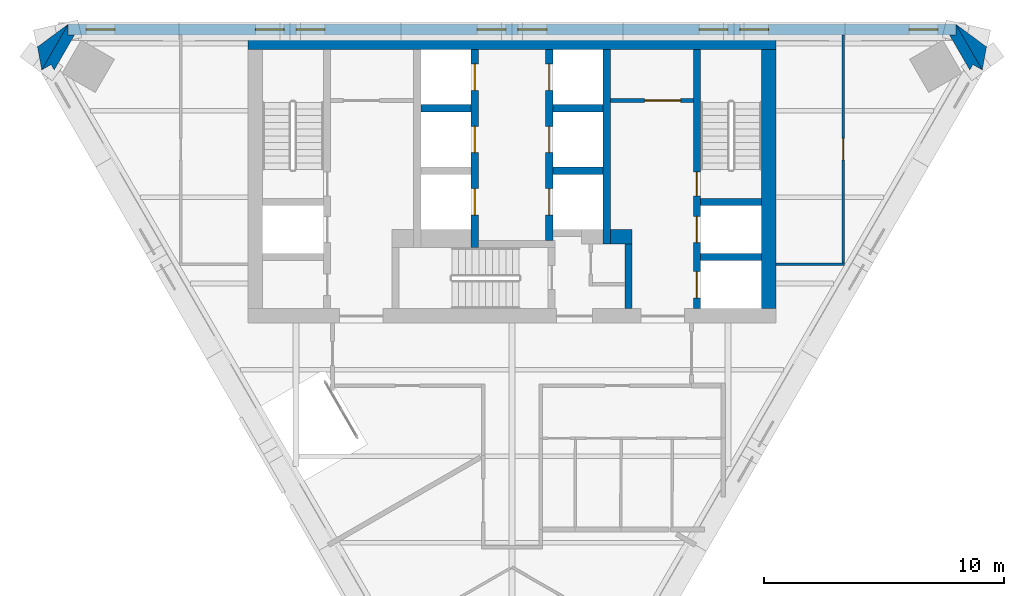
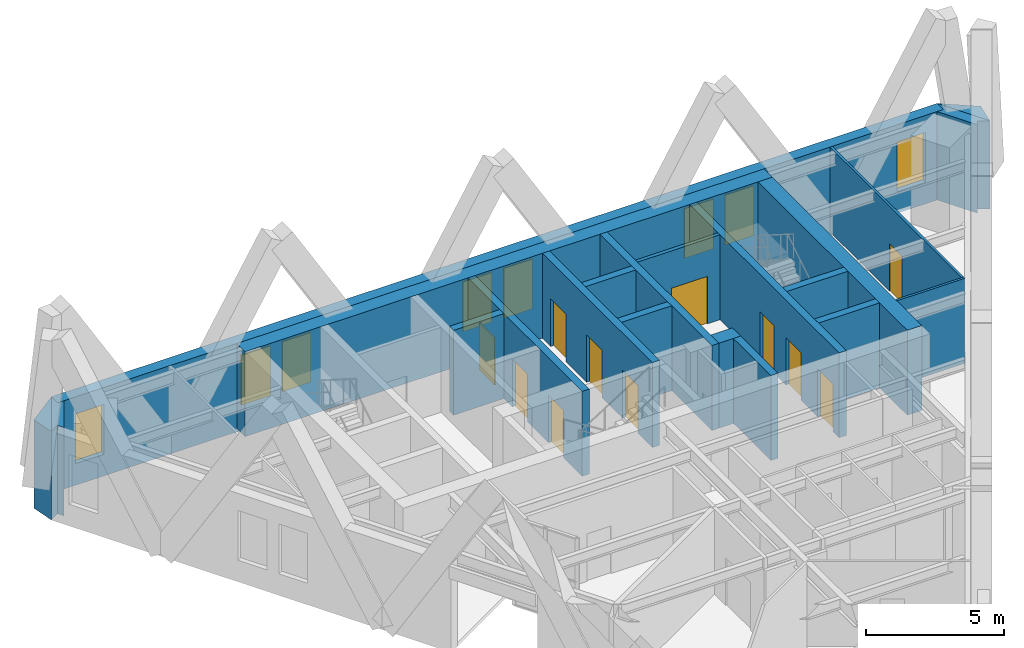
# One storey, part 6 of 8: 21 walls, 11 doors, 8 windows, 19 openings.
"""IFC4 building model written with IfcOpenShell, lengths in metres."""

import ifcopenshell
import ifcopenshell.guid

model = None  # the IFC model being written
_history = None  # IfcOwnerHistory: only IFC2X3 demands one
_inside = {}  # id of a spatial element -> (the spatial element, [elements in it])
_under = {}  # id of a project, library or spatial element -> (it, [spatial elements below it])
_declared = {}  # id of a project -> (the project, [libraries it declares])
_typed = {}  # id of a type object -> (the type object, [elements of that type])
_made_of = {}  # id of a material, layer set ... -> (it, [elements and type objects made of it])


def new_model(schema):
    """Start an empty IFC model of exactly this schema.

    Asked for "IFC4X3", IfcOpenShell would pick the latest addendum, in which some entities
    have other attributes; the version numbers below select the first issue.
    IFC2X3 requires an IfcOwnerHistory on every rooted entity: one is made here for all.
    """
    global model, _history
    if schema == "IFC4X3":
        model = ifcopenshell.file(schema_version=(4, 3, 0, 0))
    else:
        model = ifcopenshell.file(schema=schema)
    _inside.clear()
    _under.clear()
    _declared.clear()
    _typed.clear()
    _made_of.clear()
    _history = None
    if model.schema == "IFC2X3":
        org = make("IfcOrganization", Name="unknown")
        user = make(
            "IfcPersonAndOrganization",
            ThePerson=make("IfcPerson", FamilyName="unknown"),
            TheOrganization=org,
        )
        app = make(
            "IfcApplication",
            ApplicationDeveloper=org,
            Version="unknown",
            ApplicationFullName="unknown",
            ApplicationIdentifier="unknown",
        )
        _history = make(
            "IfcOwnerHistory",
            OwningUser=user,
            OwningApplication=app,
            ChangeAction="ADDED",
            CreationDate=0,
        )
    return model


def make(cls, **values):
    """One entity of the class cls with the attributes given. An attribute that is None is left unset."""
    return model.create_entity(
        cls, **{name: value for name, value in values.items() if value is not None}
    )


def rooted(cls, **values):
    """An entity with a GlobalId (a new one), such as an element, a storey or a relation."""
    return make(cls, GlobalId=ifcopenshell.guid.new(), OwnerHistory=_history, **values)


def si_unit(unit_type, name, prefix=None):
    """IfcSIUnit, for example si_unit("LENGTHUNIT", "METRE", prefix="MILLI")."""
    return make("IfcSIUnit", UnitType=unit_type, Prefix=prefix, Name=name)


def assignment(units):
    """IfcUnitAssignment: the units of a project."""
    return None if units is None else make("IfcUnitAssignment", Units=units)


def point(xyz):
    """IfcCartesianPoint."""
    return None if xyz is None else make("IfcCartesianPoint", Coordinates=xyz)


def direction(xyz):
    """IfcDirection."""
    return None if xyz is None else make("IfcDirection", DirectionRatios=xyz)


def frame(location, z_axis=None, x_axis=None):
    """IfcAxis2Placement3D, a coordinate frame: its origin and axes. An axis left out is left unset."""
    return make(
        "IfcAxis2Placement3D",
        Location=point(location),
        Axis=direction(z_axis),
        RefDirection=direction(x_axis),
    )


def frame_2d(location, x_axis=None):
    """IfcAxis2Placement2D, a coordinate frame in the plane: its origin and x axis."""
    return make(
        "IfcAxis2Placement2D", Location=point(location), RefDirection=direction(x_axis)
    )


def origin():
    """The frame at (0, 0, 0) with its axes left unset."""
    return frame((0.0, 0.0, 0.0))


def place(relative_to, where):
    """IfcLocalPlacement: puts the frame where relative to a parent placement (None: the world)."""
    return make(
        "IfcLocalPlacement", PlacementRelTo=relative_to, RelativePlacement=where
    )


def context(
    kind, dimensions, precision=None, world=None, true_north=None, identifier=None
):
    """IfcGeometricRepresentationContext, for example the 3D "Model" context."""
    return make(
        "IfcGeometricRepresentationContext",
        ContextIdentifier=identifier,
        ContextType=kind,
        CoordinateSpaceDimension=dimensions,
        Precision=precision,
        WorldCoordinateSystem=world,
        TrueNorth=true_north,
    )


def subcontext(parent, identifier, kind, view, scale=None):
    """IfcGeometricRepresentationSubContext, for example "Body" below "Model"."""
    return make(
        "IfcGeometricRepresentationSubContext",
        ContextIdentifier=identifier,
        ContextType=kind,
        ParentContext=parent,
        TargetScale=scale,
        TargetView=view,
    )


def project(units=None, contexts=None):
    """IfcProject with its units and contexts."""
    return rooted(
        "IfcProject",
        Name="project",
        RepresentationContexts=contexts,
        UnitsInContext=assignment(units),
    )


def spatial(cls, under=None, at=None, **own):
    """A site, building, storey or space (cls), placed at a placement, below another one or the project."""
    s = rooted(cls, ObjectPlacement=at, **own)
    if under is not None:
        _under.setdefault(under.id(), (under, []))[1].append(s)
    return s


def polyline(points):
    """IfcPolyline through the points."""
    return make("IfcPolyline", Points=[point(p) for p in points])


def profile(cls, at=None, kind="AREA", **sizes):
    """A parametric profile (cls). Its sizes go by their IFC names, for example OverallWidth=200.0."""
    return make(cls, ProfileType=kind, Position=at, **sizes)


def rectangle(**sizes):
    """IfcRectangleProfileDef."""
    return profile("IfcRectangleProfileDef", **sizes)


def outline(outer, holes=None, kind="AREA"):
    """IfcArbitraryClosedProfileDef: a profile drawn as a closed curve; with holes, ...WithVoids."""
    if holes is None:
        return make("IfcArbitraryClosedProfileDef", ProfileType=kind, OuterCurve=outer)
    return make(
        "IfcArbitraryProfileDefWithVoids",
        ProfileType=kind,
        OuterCurve=outer,
        InnerCurves=holes,
    )


def extrude(swept, where, along, depth):
    """IfcExtrudedAreaSolid: the profile swept, set in the frame where, extruded along a direction by depth."""
    return make(
        "IfcExtrudedAreaSolid",
        SweptArea=swept,
        Position=where,
        ExtrudedDirection=direction(along),
        Depth=depth,
    )


def shape(context_of_items, identifier, shape_type, items):
    """IfcShapeRepresentation: the items that make up one representation, for example the "Body"."""
    return make(
        "IfcShapeRepresentation",
        ContextOfItems=context_of_items,
        RepresentationIdentifier=identifier,
        RepresentationType=shape_type,
        Items=items,
    )


def material(Name=None, Category=None):
    """IfcMaterial."""
    return make("IfcMaterial", Name=Name, Category=Category)


def layer(
    of_material, thickness, ventilated=None, Name=None, Category=None, Priority=None
):
    """IfcMaterialLayer: one layer of a wall or slab, of a material (None: an air gap)."""
    return make(
        "IfcMaterialLayer",
        Material=of_material,
        LayerThickness=thickness,
        IsVentilated=ventilated,
        Name=Name,
        Category=Category,
        Priority=Priority,
    )


def layer_set(layers, Name=None):
    """IfcMaterialLayerSet."""
    return make("IfcMaterialLayerSet", MaterialLayers=layers, LayerSetName=Name)


def made_of(thing, what):
    """Note that an element or type object is made of a material, layer set ...; save() writes the relation."""
    if what is not None:
        _made_of.setdefault(what.id(), (what, []))[1].append(thing)
    return thing


def type_object(cls, material=None, **own):
    """A type object (cls), such as IfcWallType, which elements share."""
    return made_of(rooted(cls, **own), material)


def element(
    cls,
    number,
    at=None,
    inside=None,
    cuts=None,
    type_object=None,
    material=None,
    context=None,
    identifier="Body",
    shape_type=None,
    held_by="IfcProductDefinitionShape",
    body=None,
    shapes=None,
    **own,
):
    """One element of the class cls, such as IfcWall. Its Tag is "e" and its number.

    at: its placement. inside: the storey or other place that contains it. cuts: it is an
    opening in that element (IfcRelVoidsElement). A single representation is given by context,
    identifier, shape_type and body (its items); several are given by shapes. held_by: the class
    of the entity that holds the representations. save() writes the other relations.
    """
    e = rooted(cls, Tag="e%d" % number, ObjectPlacement=at, **own)
    if body is not None:
        shapes = [shape(context, identifier, shape_type, body)]
    if shapes is not None:
        e.Representation = make(held_by, Representations=shapes)
    if inside is not None:
        _inside.setdefault(inside.id(), (inside, []))[1].append(e)
    if cuts is not None:
        rooted(
            "IfcRelVoidsElement", RelatingBuildingElement=cuts, RelatedOpeningElement=e
        )
    if type_object is not None:
        _typed.setdefault(type_object.id(), (type_object, []))[1].append(e)
    return made_of(e, material)


def fill(opening, filler):
    """IfcRelFillsElement: the door or window that sits in an opening."""
    return rooted(
        "IfcRelFillsElement",
        RelatingOpeningElement=opening,
        RelatedBuildingElement=filler,
    )


def aggregate(whole, parts):
    """IfcRelAggregates: a whole, such as a stair, and the parts it consists of."""
    return rooted("IfcRelAggregates", RelatingObject=whole, RelatedObjects=parts)


def save(model, path):
    """Write the relations noted so far, then the file.

    IfcRelAggregates (storeys below a building ...), IfcRelContainedInSpatialStructure (elements
    in a storey), IfcRelDefinesByType, IfcRelAssociatesMaterial and IfcRelDeclares: one each for
    every whole, place, type object, material and project.
    """
    for whole, parts in _under.values():
        aggregate(whole, parts)
    for where, things in _inside.values():
        rooted(
            "IfcRelContainedInSpatialStructure",
            RelatedElements=things,
            RelatingStructure=where,
        )
    for kind, things in _typed.values():
        rooted("IfcRelDefinesByType", RelatedObjects=things, RelatingType=kind)
    for what, things in _made_of.values():
        rooted("IfcRelAssociatesMaterial", RelatedObjects=things, RelatingMaterial=what)
    for by, libraries in _declared.values():
        rooted("IfcRelDeclares", RelatingContext=by, RelatedDefinitions=libraries)
    model.write(path)


model = new_model("IFC4")

# Units and contexts
model_context = context("Model", 3, precision=1e-05, world=origin(), true_north=direction((0.0, 1.0)))
body_context = subcontext(model_context, "Body", "Model", "MODEL_VIEW")
ifc_project = project(units=[si_unit("LENGTHUNIT", "METRE"), si_unit("AREAUNIT", "SQUARE_METRE"), si_unit("VOLUMEUNIT", "CUBIC_METRE"), si_unit("PLANEANGLEUNIT", "RADIAN"), si_unit("MASSUNIT", "GRAM", prefix="KILO")], contexts=[model_context])

# Site, building, storey
site_placement = place(None, origin())
site = spatial("IfcSite", under=ifc_project, at=site_placement, CompositionType="ELEMENT")
building_placement = place(site_placement, origin())
building = spatial("IfcBuilding", under=site, at=building_placement, Name="Aloe Facet Convention Tower", CompositionType="ELEMENT")
storey_placement = place(building_placement, frame((0.0, 0.0, 262.10009765625)))
storey = spatial("IfcBuildingStorey", under=building, at=storey_placement, Name="L64", CompositionType="ELEMENT", Elevation=262.10009765625)

# Wall, opening, door
ifc_material_1 = material(Name="Concrete blockwork partition", Category="masonry")
ifc_layer_1 = layer(ifc_material_1, 0.14990234375)
ifc_layer_set_1 = layer_set([ifc_layer_1], Name="CR-W-PART150")
wall_type_1 = type_object("IfcWallType", Name="CR-W-PART150", PredefinedType="PARTITIONING", material=ifc_layer_set_1)
wall_1_placement = place(storey_placement, frame((84.10009765625, 131.824951171875, 0.0), z_axis=(0.0, 0.0, 1.0), x_axis=(1.0, 0.0, 0.0)))
wall_1 = element("IfcWall", 1, at=wall_1_placement, inside=storey, type_object=wall_type_1, Name="Core partition L64-025", PredefinedType="PARTITIONING", context=body_context, shape_type="SweptSolid", body=[
    extrude(rectangle(XDim=3.449951171875, YDim=0.14990234375, at=frame_2d((1.72509765625, 0.0))), origin(), (0.0, 0.0, 1.0), 3.75),
])
opening_1_placement = place(wall_1_placement, frame((1.425048828125, 0.0, 0.0)))
opening_1 = element("IfcOpeningElement", 2, at=opening_1_placement, cuts=wall_1, Name="Opening L64-CD13", PredefinedType="OPENING", context=body_context, shape_type="SweptSolid", body=[
    extrude(rectangle(XDim=1.5, YDim=2.10009765625, at=frame_2d((0.75, 1.050048828125))), frame((0.0, 0.0849609375, 0.0), z_axis=(0.0, -1.0, 0.0), x_axis=(1.0, 0.0, 0.0)), (0.0, 0.0, 1.0), 0.169921875),
])
ifc_material_2 = material(Name="Steel fire-resisting door set FD60", Category="steel")
door_type_1 = type_object("IfcDoorType", Name="CR-D-REFUGE-1500-FD60-DD", OperationType="DOUBLE_DOOR_DOUBLE_SWING", PredefinedType="DOOR", material=ifc_material_2)
door_1_placement = place(opening_1_placement, origin())
door_1 = element("IfcDoor", 3, at=door_1_placement, inside=storey, type_object=door_type_1, Name="Core door L64-CD13", OperationType="DOUBLE_DOOR_DOUBLE_SWING", OverallHeight=2.10009765625, OverallWidth=1.5, PredefinedType="DOOR", context=body_context, shape_type="SweptSolid", body=[
    extrude(rectangle(XDim=1.5, YDim=2.10009765625, at=frame_2d((0.75, 1.050048828125))), frame((0.0, 0.02490234375, 0.0), z_axis=(0.0, -1.0, 0.0), x_axis=(1.0, 0.0, 0.0)), (0.0, 0.0, 1.0), 0.050048828125),
])
fill(opening_1, door_1)

# Wall
ifc_material_3 = material(Name="Concrete C50/60", Category="concrete")
ifc_layer_2 = layer(ifc_material_3, 0.300048828125)
ifc_layer_set_2 = layer_set([ifc_layer_2], Name="CR-W-RC300-C5060")
wall_type_2 = type_object("IfcWallType", Name="CR-W-RC300-C5060", PredefinedType="SOLIDWALL", material=ifc_layer_set_2)
wall_2_placement = place(storey_placement, frame((76.199951171875, 131.5, 0.0), z_axis=(0.0, 0.0, 1.0), x_axis=(1.0, 0.0, 0.0)))
element("IfcWall", 4, at=wall_2_placement, inside=storey, type_object=wall_type_2, Name="Core wall L64-011", PredefinedType="SOLIDWALL", context=body_context, shape_type="SweptSolid", body=[
    extrude(rectangle(XDim=2.10009765625, YDim=0.300048828125, at=frame_2d((1.050048828125, 0.0))), origin(), (0.0, 0.0, 1.0), 3.75),
])

# Wall, openings, doors
wall_3_placement = place(storey_placement, frame((78.449951171875, 133.949951171875, 0.0), z_axis=(0.0, 0.0, 1.0), x_axis=(0.0, -1.0, 0.0)))
wall_3 = element("IfcWall", 5, at=wall_3_placement, inside=storey, type_object=wall_type_2, Name="Core wall L64-014", PredefinedType="SOLIDWALL", context=body_context, shape_type="SweptSolid", body=[
    extrude(rectangle(XDim=8.25, YDim=0.300048828125, at=frame_2d((4.125, 0.0))), origin(), (0.0, 0.0, 1.0), 3.75),
])
opening_2_placement = place(wall_3_placement, frame((0.60009765625, 0.0, 0.0)))
opening_2 = element("IfcOpeningElement", 6, at=opening_2_placement, cuts=wall_3, Name="Opening LD-B1-L64", PredefinedType="OPENING", context=body_context, shape_type="SweptSolid", body=[
    extrude(rectangle(XDim=1.10009765625, YDim=2.10009765625, at=frame_2d((0.550048828125, 1.050048828125))), frame((0.0, 0.16015625, 0.0), z_axis=(0.0, -1.0, 0.0), x_axis=(1.0, 0.0, 0.0)), (0.0, 0.0, 1.0), 0.320068359375),
])
opening_3_placement = place(wall_3_placement, frame((3.199951171875, 0.0, 0.0)))
opening_3 = element("IfcOpeningElement", 7, at=opening_3_placement, cuts=wall_3, Name="Opening LD-B2-L64", PredefinedType="OPENING", context=body_context, shape_type="SweptSolid", body=[
    extrude(rectangle(XDim=1.10009765625, YDim=2.10009765625, at=frame_2d((0.550048828125, 1.050048828125))), frame((0.0, 0.16015625, 0.0), z_axis=(0.0, -1.0, 0.0), x_axis=(1.0, 0.0, 0.0)), (0.0, 0.0, 1.0), 0.320068359375),
])
opening_4_placement = place(wall_3_placement, frame((5.800048828125, 0.0, 0.0)))
opening_4 = element("IfcOpeningElement", 8, at=opening_4_placement, cuts=wall_3, Name="Opening LD-B3-L64", PredefinedType="OPENING", context=body_context, shape_type="SweptSolid", body=[
    extrude(rectangle(XDim=1.10009765625, YDim=2.10009765625, at=frame_2d((0.550048828125, 1.050048828125))), frame((0.0, 0.16015625, 0.0), z_axis=(0.0, -1.0, 0.0), x_axis=(1.0, 0.0, 0.0)), (0.0, 0.0, 1.0), 0.320068359375),
])
ifc_material_4 = material(Name="Stainless steel sliding landing door", Category="steel")
door_type_2 = type_object("IfcDoorType", Name="CR-LD-1100-FD60-RIGHT", OperationType="SLIDING_TO_RIGHT", PredefinedType="DOOR", material=ifc_material_4)
door_2_placement = place(opening_2_placement, origin())
door_2 = element("IfcDoor", 9, at=door_2_placement, inside=storey, type_object=door_type_2, Name="Landing door B1 L64", OperationType="SLIDING_TO_RIGHT", OverallHeight=2.10009765625, OverallWidth=1.10009765625, PredefinedType="DOOR", context=body_context, shape_type="SweptSolid", body=[
    extrude(rectangle(XDim=1.10009765625, YDim=2.10009765625, at=frame_2d((0.550048828125, 1.050048828125))), frame((0.0, 0.02490234375, 0.0), z_axis=(0.0, -1.0, 0.0), x_axis=(1.0, 0.0, 0.0)), (0.0, 0.0, 1.0), 0.050048828125),
])
fill(opening_2, door_2)
door_3_placement = place(opening_3_placement, origin())
door_3 = element("IfcDoor", 10, at=door_3_placement, inside=storey, type_object=door_type_2, Name="Landing door B2 L64", OperationType="SLIDING_TO_RIGHT", OverallHeight=2.10009765625, OverallWidth=1.10009765625, PredefinedType="DOOR", context=body_context, shape_type="SweptSolid", body=[
    extrude(rectangle(XDim=1.10009765625, YDim=2.10009765625, at=frame_2d((0.550048828125, 1.050048828125))), frame((0.0, 0.02490234375, 0.0), z_axis=(0.0, -1.0, 0.0), x_axis=(1.0, 0.0, 0.0)), (0.0, 0.0, 1.0), 0.050048828125),
])
fill(opening_3, door_3)
door_4_placement = place(opening_4_placement, origin())
door_4 = element("IfcDoor", 11, at=door_4_placement, inside=storey, type_object=door_type_2, Name="Landing door B3 L64", OperationType="SLIDING_TO_RIGHT", OverallHeight=2.10009765625, OverallWidth=1.10009765625, PredefinedType="DOOR", context=body_context, shape_type="SweptSolid", body=[
    extrude(rectangle(XDim=1.10009765625, YDim=2.10009765625, at=frame_2d((0.550048828125, 1.050048828125))), frame((0.0, 0.02490234375, 0.0), z_axis=(0.0, -1.0, 0.0), x_axis=(1.0, 0.0, 0.0)), (0.0, 0.0, 1.0), 0.050048828125),
])
fill(opening_4, door_4)

wall_4_placement = place(storey_placement, frame((81.550048828125, 133.949951171875, 0.0), z_axis=(0.0, 0.0, 1.0), x_axis=(0.0, -1.0, 0.0)))
wall_4 = element("IfcWall", 12, at=wall_4_placement, inside=storey, type_object=wall_type_2, Name="Core wall L64-016", PredefinedType="SOLIDWALL", context=body_context, shape_type="SweptSolid", body=[
    extrude(rectangle(XDim=7.949951171875, YDim=0.300048828125, at=frame_2d((3.97509765625, 0.0))), origin(), (0.0, 0.0, 1.0), 3.75),
])
opening_5_placement = place(wall_4_placement, frame((0.60009765625, 0.0, 0.0)))
opening_5 = element("IfcOpeningElement", 13, at=opening_5_placement, cuts=wall_4, Name="Opening LD-B4-L64", PredefinedType="OPENING", context=body_context, shape_type="SweptSolid", body=[
    extrude(rectangle(XDim=1.10009765625, YDim=2.10009765625, at=frame_2d((0.550048828125, 1.050048828125))), frame((0.0, 0.16015625, 0.0), z_axis=(0.0, -1.0, 0.0), x_axis=(1.0, 0.0, 0.0)), (0.0, 0.0, 1.0), 0.320068359375),
])
opening_6_placement = place(wall_4_placement, frame((3.199951171875, 0.0, 0.0)))
opening_6 = element("IfcOpeningElement", 14, at=opening_6_placement, cuts=wall_4, Name="Opening LD-B5-L64", PredefinedType="OPENING", context=body_context, shape_type="SweptSolid", body=[
    extrude(rectangle(XDim=1.10009765625, YDim=2.10009765625, at=frame_2d((0.550048828125, 1.050048828125))), frame((0.0, 0.16015625, 0.0), z_axis=(0.0, -1.0, 0.0), x_axis=(1.0, 0.0, 0.0)), (0.0, 0.0, 1.0), 0.320068359375),
])
opening_7_placement = place(wall_4_placement, frame((5.800048828125, 0.0, 0.0)))
opening_7 = element("IfcOpeningElement", 15, at=opening_7_placement, cuts=wall_4, Name="Opening LD-B6-L64", PredefinedType="OPENING", context=body_context, shape_type="SweptSolid", body=[
    extrude(rectangle(XDim=1.10009765625, YDim=2.10009765625, at=frame_2d((0.550048828125, 1.050048828125))), frame((0.0, 0.16015625, 0.0), z_axis=(0.0, -1.0, 0.0), x_axis=(1.0, 0.0, 0.0)), (0.0, 0.0, 1.0), 0.320068359375),
])
ifc_material_5 = material(Name="Stainless steel sliding landing door", Category="steel")
door_type_3 = type_object("IfcDoorType", Name="CR-LD-1100-FD60-_LEFT", OperationType="SLIDING_TO_LEFT", PredefinedType="DOOR", material=ifc_material_5)
door_5_placement = place(opening_5_placement, origin())
door_5 = element("IfcDoor", 16, at=door_5_placement, inside=storey, type_object=door_type_3, Name="Landing door B4 L64", OperationType="SLIDING_TO_LEFT", OverallHeight=2.10009765625, OverallWidth=1.10009765625, PredefinedType="DOOR", context=body_context, shape_type="SweptSolid", body=[
    extrude(rectangle(XDim=1.10009765625, YDim=2.10009765625, at=frame_2d((0.550048828125, 1.050048828125))), frame((0.0, 0.02490234375, 0.0), z_axis=(0.0, -1.0, 0.0), x_axis=(1.0, 0.0, 0.0)), (0.0, 0.0, 1.0), 0.050048828125),
])
fill(opening_5, door_5)
door_6_placement = place(opening_6_placement, origin())
door_6 = element("IfcDoor", 17, at=door_6_placement, inside=storey, type_object=door_type_3, Name="Landing door B5 L64", OperationType="SLIDING_TO_LEFT", OverallHeight=2.10009765625, OverallWidth=1.10009765625, PredefinedType="DOOR", context=body_context, shape_type="SweptSolid", body=[
    extrude(rectangle(XDim=1.10009765625, YDim=2.10009765625, at=frame_2d((0.550048828125, 1.050048828125))), frame((0.0, 0.02490234375, 0.0), z_axis=(0.0, -1.0, 0.0), x_axis=(1.0, 0.0, 0.0)), (0.0, 0.0, 1.0), 0.050048828125),
])
fill(opening_6, door_6)
door_7_placement = place(opening_7_placement, origin())
door_7 = element("IfcDoor", 18, at=door_7_placement, inside=storey, type_object=door_type_3, Name="Landing door B6 L64", OperationType="SLIDING_TO_LEFT", OverallHeight=2.10009765625, OverallWidth=1.10009765625, PredefinedType="DOOR", context=body_context, shape_type="SweptSolid", body=[
    extrude(rectangle(XDim=1.10009765625, YDim=2.10009765625, at=frame_2d((0.550048828125, 1.050048828125))), frame((0.0, 0.02490234375, 0.0), z_axis=(0.0, -1.0, 0.0), x_axis=(1.0, 0.0, 0.0)), (0.0, 0.0, 1.0), 0.050048828125),
])
fill(opening_7, door_7)

# Walls
for number, where, z_axis, x_axis, name in (
    (19, (81.699951171875, 131.5, 0.0), (0.0, 0.0, 1.0), (1.0, 0.0, 0.0), "Core wall L64-018"),
    (20, (81.699951171875, 128.89990234375, 0.0), (0.0, 0.0, 1.0), (1.0, 0.0, 0.0), "Core wall L64-019"),
):
    element("IfcWall", number, at=place(storey_placement, frame(where, z_axis=z_axis, x_axis=x_axis)), inside=storey, type_object=wall_type_2, Name=name, PredefinedType="SOLIDWALL", context=body_context, shape_type="SweptSolid", body=[
        extrude(rectangle(XDim=2.10009765625, YDim=0.300048828125, at=frame_2d((1.050048828125, 0.0))), origin(), (0.0, 0.0, 1.0), 3.75),
    ])
wall_5_placement = place(storey_placement, frame((83.949951171875, 133.949951171875, 0.0), z_axis=(0.0, 0.0, 1.0), x_axis=(0.0, -1.0, 0.0)))
element("IfcWall", 21, at=wall_5_placement, inside=storey, type_object=wall_type_2, Name="Core wall L64-024", PredefinedType="SOLIDWALL", context=body_context, shape_type="SweptSolid", body=[
    extrude(rectangle(XDim=8.099853515625, YDim=0.300048828125, at=frame_2d((4.0498046875, 0.0))), origin(), (0.0, 0.0, 1.0), 3.75),
])
wall_6_placement = place(storey_placement, frame((84.85009765625, 125.85009765625, 0.0), z_axis=(0.0, 0.0, 1.0), x_axis=(0.0, -1.0, 0.0)))
element("IfcWall", 22, at=wall_6_placement, inside=storey, type_object=wall_type_2, Name="Core wall L64-027", PredefinedType="SOLIDWALL", context=body_context, shape_type="SweptSolid", body=[
    extrude(rectangle(XDim=2.7001953125, YDim=0.300048828125, at=frame_2d((1.35009765625, 0.0))), origin(), (0.0, 0.0, 1.0), 3.75),
])

# Wall, openings, doors
wall_7_placement = place(storey_placement, frame((87.699951171875, 133.949951171875, 0.0), z_axis=(0.0, 0.0, 1.0), x_axis=(0.0, -1.0, 0.0)))
wall_7 = element("IfcWall", 23, at=wall_7_placement, inside=storey, type_object=wall_type_2, Name="Core wall L64-028", PredefinedType="SOLIDWALL", context=body_context, shape_type="SweptSolid", body=[
    extrude(rectangle(XDim=10.800048828125, YDim=0.300048828125, at=frame_2d((5.39990234375, 0.0))), origin(), (0.0, 0.0, 1.0), 3.75),
])
opening_8_placement = place(wall_7_placement, frame((6.949951171875, 0.0, 0.0)))
opening_8 = element("IfcOpeningElement", 24, at=opening_8_placement, cuts=wall_7, Name="Opening LD-FF2-L64", PredefinedType="OPENING", context=body_context, shape_type="SweptSolid", body=[
    extrude(rectangle(XDim=1.10009765625, YDim=2.10009765625, at=frame_2d((0.550048828125, 1.050048828125))), frame((0.0, 0.16015625, 0.0), z_axis=(0.0, -1.0, 0.0), x_axis=(1.0, 0.0, 0.0)), (0.0, 0.0, 1.0), 0.320068359375),
])
opening_9_placement = place(wall_7_placement, frame((5.10009765625, 0.0, 0.0)))
opening_9 = element("IfcOpeningElement", 25, at=opening_9_placement, cuts=wall_7, Name="Opening L64-CD17", PredefinedType="OPENING", context=body_context, shape_type="SweptSolid", body=[
    extrude(rectangle(XDim=1.0, YDim=2.10009765625, at=frame_2d((0.5, 1.050048828125))), frame((0.0, 0.16015625, 0.0), z_axis=(0.0, -1.0, 0.0), x_axis=(1.0, 0.0, 0.0)), (0.0, 0.0, 1.0), 0.320068359375),
])
opening_10_placement = place(wall_7_placement, frame((9.25, 0.0, 0.0)))
opening_10 = element("IfcOpeningElement", 26, at=opening_10_placement, cuts=wall_7, Name="Opening LD-SV1-L64", PredefinedType="OPENING", context=body_context, shape_type="SweptSolid", body=[
    extrude(rectangle(XDim=1.10009765625, YDim=2.10009765625, at=frame_2d((0.550048828125, 1.050048828125))), frame((0.0, 0.16015625, 0.0), z_axis=(0.0, -1.0, 0.0), x_axis=(1.0, 0.0, 0.0)), (0.0, 0.0, 1.0), 0.320068359375),
])
ifc_material_6 = material(Name="Steel fire-resisting door set FD120", Category="steel")
door_type_4 = type_object("IfcDoorType", Name="CR-D-STAIR-1000-FD120-SLEFT", OperationType="SINGLE_SWING_LEFT", PredefinedType="DOOR", material=ifc_material_6)
door_8_placement = place(opening_9_placement, origin())
door_8 = element("IfcDoor", 27, at=door_8_placement, inside=storey, type_object=door_type_4, Name="Core door L64-CD17", OperationType="SINGLE_SWING_LEFT", OverallHeight=2.10009765625, OverallWidth=1.0, PredefinedType="DOOR", context=body_context, shape_type="SweptSolid", body=[
    extrude(rectangle(XDim=1.0, YDim=2.10009765625, at=frame_2d((0.5, 1.050048828125))), frame((0.0, 0.02490234375, 0.0), z_axis=(0.0, -1.0, 0.0), x_axis=(1.0, 0.0, 0.0)), (0.0, 0.0, 1.0), 0.050048828125),
])
fill(opening_9, door_8)
ifc_material_7 = material(Name="Stainless steel sliding landing door", Category="steel")
door_type_5 = type_object("IfcDoorType", Name="CR-LD-1100-FD120-_LEFT", OperationType="SLIDING_TO_LEFT", PredefinedType="DOOR", material=ifc_material_7)
door_9_placement = place(opening_8_placement, origin())
door_9 = element("IfcDoor", 28, at=door_9_placement, inside=storey, type_object=door_type_5, Name="Landing door FF2 L64", OperationType="SLIDING_TO_LEFT", OverallHeight=2.10009765625, OverallWidth=1.10009765625, PredefinedType="DOOR", context=body_context, shape_type="SweptSolid", body=[
    extrude(rectangle(XDim=1.10009765625, YDim=2.10009765625, at=frame_2d((0.550048828125, 1.050048828125))), frame((0.0, 0.02490234375, 0.0), z_axis=(0.0, -1.0, 0.0), x_axis=(1.0, 0.0, 0.0)), (0.0, 0.0, 1.0), 0.050048828125),
])
fill(opening_8, door_9)
door_10_placement = place(opening_10_placement, origin())
door_10 = element("IfcDoor", 29, at=door_10_placement, inside=storey, type_object=door_type_5, Name="Landing door SV1 L64", OperationType="SLIDING_TO_LEFT", OverallHeight=2.10009765625, OverallWidth=1.10009765625, PredefinedType="DOOR", context=body_context, shape_type="SweptSolid", body=[
    extrude(rectangle(XDim=1.10009765625, YDim=2.10009765625, at=frame_2d((0.550048828125, 1.050048828125))), frame((0.0, 0.02490234375, 0.0), z_axis=(0.0, -1.0, 0.0), x_axis=(1.0, 0.0, 0.0)), (0.0, 0.0, 1.0), 0.050048828125),
])
fill(opening_10, door_10)

# Walls
for number, where, z_axis, x_axis, name in (
    (30, (87.85009765625, 127.60009765625, 0.0), (0.0, 0.0, 1.0), (1.0, 0.0, 0.0), "Core wall L64-029"),
    (31, (87.85009765625, 125.300048828125, 0.0), (0.0, 0.0, 1.0), (1.0, 0.0, 0.0), "Core wall L64-030"),
):
    element("IfcWall", number, at=place(storey_placement, frame(where, z_axis=z_axis, x_axis=x_axis)), inside=storey, type_object=wall_type_2, Name=name, PredefinedType="SOLIDWALL", context=body_context, shape_type="SweptSolid", body=[
        extrude(rectangle(XDim=2.5498046875, YDim=0.300048828125, at=frame_2d((1.27490234375, 0.0))), origin(), (0.0, 0.0, 1.0), 3.75),
    ])
ifc_material_8 = material(Name="Concrete C50/60", Category="concrete")
ifc_layer_3 = layer(ifc_material_8, 0.60009765625)
ifc_layer_set_3 = layer_set([ifc_layer_3], Name="CR-W-RC600-C5060")
wall_type_3 = type_object("IfcWallType", Name="CR-W-RC600-C5060", PredefinedType="SOLIDWALL", material=ifc_layer_set_3)
wall_8_placement = place(storey_placement, frame((69.0, 134.25, 0.0), z_axis=(0.0, 0.0, 1.0), x_axis=(1.0, 0.0, 0.0)))
element("IfcWall", 32, at=wall_8_placement, inside=storey, type_object=wall_type_3, Name="Core wall L64-001", PredefinedType="SOLIDWALL", context=body_context, shape_type="SweptSolid", body=[
    extrude(rectangle(XDim=22.0, YDim=0.60009765625, at=frame_2d((11.0, 0.0))), origin(), (0.0, 0.0, 1.0), 3.75),
])
wall_9_placement = place(storey_placement, frame((84.10009765625, 126.14990234375, 0.0), z_axis=(0.0, 0.0, 1.0), x_axis=(1.0, 0.0, 0.0)))
element("IfcWall", 33, at=wall_9_placement, inside=storey, type_object=wall_type_3, Name="Core wall L64-026", PredefinedType="SOLIDWALL", context=body_context, shape_type="SweptSolid", body=[
    extrude(rectangle(XDim=0.89990234375, YDim=0.60009765625, at=frame_2d((0.449951171875, 0.0))), origin(), (0.0, 0.0, 1.0), 3.75),
])
wall_10_placement = place(storey_placement, frame((90.699951171875, 133.949951171875, 0.0), z_axis=(0.0, 0.0, 1.0), x_axis=(0.0, -1.0, 0.0)))
element("IfcWall", 34, at=wall_10_placement, inside=storey, type_object=wall_type_3, Name="Core wall L64-031", PredefinedType="SOLIDWALL", context=body_context, shape_type="SweptSolid", body=[
    extrude(rectangle(XDim=10.800048828125, YDim=0.60009765625, at=frame_2d((5.39990234375, 0.0))), origin(), (0.0, 0.0, 1.0), 3.75),
])
ifc_material_9 = material(Name="Precast concrete C40/50", Category="concrete")
ifc_layer_4 = layer(ifc_material_9, 0.449951171875)
ifc_layer_set_4 = layer_set([ifc_layer_4], Name="EV-WALL-PIER")
wall_type_4 = type_object("IfcWallType", Name="EV-WALL-PIER", PredefinedType="SOLIDWALL", material=ifc_layer_set_4)
wall_11_placement = place(storey_placement, frame((0.0, 0.0, -0.150146484375)))
element("IfcWall", 35, at=wall_11_placement, inside=storey, type_object=wall_type_4, Name="EP-L64-A", PredefinedType="SOLIDWALL", context=body_context, shape_type="SweptSolid", body=[
    extrude(outline(polyline([(61.513916015625, 135.0), (61.513916015625, 134.550048828125), (61.773681640625, 134.550048828125), (60.933349609375, 133.0947265625), (60.803466796875, 133.31982421875), (60.413818359375, 133.0947265625), (61.513916015625, 135.0)])), origin(), (0.0, 0.0, 1.0), 3.900146484375),
])
wall_12_placement = place(storey_placement, frame((0.0, 0.0, -0.150146484375)))
element("IfcWall", 36, at=wall_12_placement, inside=storey, type_object=wall_type_4, Name="EP-L64-C", PredefinedType="SOLIDWALL", context=body_context, shape_type="SweptSolid", body=[
    extrude(outline(polyline([(99.586181640625, 133.0947265625), (99.196533203125, 133.31982421875), (99.066650390625, 133.0947265625), (98.226318359375, 134.550048828125), (98.486083984375, 134.550048828125), (98.486083984375, 135.0), (99.586181640625, 133.0947265625)])), origin(), (0.0, 0.0, 1.0), 3.900146484375),
])
ifc_material_10 = material(Name="Precast concrete C40/50", Category="concrete")
ifc_layer_5 = layer(ifc_material_10, 3.947998046875)
ifc_layer_set_5 = layer_set([ifc_layer_5], Name="EV-WALL-SPINE")
wall_type_5 = type_object("IfcWallType", Name="EV-WALL-SPINE", PredefinedType="SOLIDWALL", material=ifc_layer_set_5)
wall_13_placement = place(storey_placement, frame((0.0, 0.0, -0.150146484375)))
element("IfcWall", 37, at=wall_13_placement, inside=storey, type_object=wall_type_5, Name="SP-NW-L64", PredefinedType="SOLIDWALL", context=body_context, shape_type="SweptSolid", body=[
    extrude(outline(polyline([(61.513916015625, 135.0), (60.23779296875, 134.055419921875), (60.413818359375, 133.0947265625), (61.513916015625, 135.0)])), origin(), (0.0, 0.0, 1.0), 3.900146484375),
])
wall_14_placement = place(storey_placement, frame((0.0, 0.0, -0.150146484375)))
element("IfcWall", 38, at=wall_14_placement, inside=storey, type_object=wall_type_5, Name="SP-NE-L64", PredefinedType="SOLIDWALL", context=body_context, shape_type="SweptSolid", body=[
    extrude(outline(polyline([(99.586181640625, 133.0947265625), (99.76220703125, 134.055419921875), (98.486083984375, 135.0), (99.586181640625, 133.0947265625)])), origin(), (0.0, 0.0, 1.0), 3.900146484375),
])

# Wall, openings, windows
ifc_material_11 = material(Name="Precast concrete C40/50", Category="concrete")
ifc_layer_6 = layer(ifc_material_11, 0.449951171875)
ifc_layer_set_6 = layer_set([ifc_layer_6], Name="EV-WALL-STONE")
wall_type_6 = type_object("IfcWallType", Name="EV-WALL-STONE", PredefinedType="SOLIDWALL", material=ifc_layer_set_6)
wall_15_placement = place(storey_placement, frame((98.486083984375, 134.77490234375, -0.150146484375), z_axis=(0.0, 0.0, 1.0), x_axis=(-1.0, 0.0, 0.0)))
wall_15 = element("IfcWall", 39, at=wall_15_placement, inside=storey, type_object=wall_type_6, Name="EW-L64-N01", PredefinedType="SOLIDWALL", context=body_context, shape_type="SweptSolid", body=[
    extrude(outline(polyline([(36.972412109375, 0.0), (36.972412109375, 3.900146484375), (0.0, 3.900146484375), (0.0, 0.0), (36.972412109375, 0.0)])), frame((0.0, 0.22509765625, 0.0), z_axis=(0.0, -1.0, 0.0), x_axis=(1.0, 0.0, 0.0)), (0.0, 0.0, 1.0), 0.449951171875),
])
opening_11_placement = place(wall_15_placement, frame((0.744140625, 0.0, 0.949951171875)))
opening_11 = element("IfcOpeningElement", 40, at=opening_11_placement, cuts=wall_15, Name="Opening W-L64-N01", PredefinedType="OPENING", context=body_context, shape_type="SweptSolid", body=[
    extrude(rectangle(XDim=1.199951171875, YDim=2.199951171875, at=frame_2d((0.60009765625, 1.10009765625))), frame((0.0, 0.23486328125, 0.0), z_axis=(0.0, -1.0, 0.0), x_axis=(1.0, 0.0, 0.0)), (0.0, 0.0, 1.0), 0.469970703125),
])
opening_12_placement = place(wall_15_placement, frame((7.79296875, 0.0, 0.949951171875)))
opening_12 = element("IfcOpeningElement", 41, at=opening_12_placement, cuts=wall_15, Name="Opening W-L64-N02", PredefinedType="OPENING", context=body_context, shape_type="SweptSolid", body=[
    extrude(rectangle(XDim=1.199951171875, YDim=2.199951171875, at=frame_2d((0.60009765625, 1.10009765625))), frame((0.0, 0.23486328125, 0.0), z_axis=(0.0, -1.0, 0.0), x_axis=(1.0, 0.0, 0.0)), (0.0, 0.0, 1.0), 0.469970703125),
])
opening_13_placement = place(wall_15_placement, frame((9.4931640625, 0.0, 0.949951171875)))
opening_13 = element("IfcOpeningElement", 42, at=opening_13_placement, cuts=wall_15, Name="Opening W-L64-N03", PredefinedType="OPENING", context=body_context, shape_type="SweptSolid", body=[
    extrude(rectangle(XDim=1.199951171875, YDim=2.199951171875, at=frame_2d((0.60009765625, 1.10009765625))), frame((0.0, 0.23486328125, 0.0), z_axis=(0.0, -1.0, 0.0), x_axis=(1.0, 0.0, 0.0)), (0.0, 0.0, 1.0), 0.469970703125),
])
opening_14_placement = place(wall_15_placement, frame((17.0361328125, 0.0, 0.949951171875)))
opening_14 = element("IfcOpeningElement", 43, at=opening_14_placement, cuts=wall_15, Name="Opening W-L64-N04", PredefinedType="OPENING", context=body_context, shape_type="SweptSolid", body=[
    extrude(rectangle(XDim=1.199951171875, YDim=2.199951171875, at=frame_2d((0.60009765625, 1.10009765625))), frame((0.0, 0.23486328125, 0.0), z_axis=(0.0, -1.0, 0.0), x_axis=(1.0, 0.0, 0.0)), (0.0, 0.0, 1.0), 0.469970703125),
])
opening_15_placement = place(wall_15_placement, frame((18.736083984375, 0.0, 0.949951171875)))
opening_15 = element("IfcOpeningElement", 44, at=opening_15_placement, cuts=wall_15, Name="Opening W-L64-N05", PredefinedType="OPENING", context=body_context, shape_type="SweptSolid", body=[
    extrude(rectangle(XDim=1.199951171875, YDim=2.199951171875, at=frame_2d((0.60009765625, 1.10009765625))), frame((0.0, 0.23486328125, 0.0), z_axis=(0.0, -1.0, 0.0), x_axis=(1.0, 0.0, 0.0)), (0.0, 0.0, 1.0), 0.469970703125),
])
opening_16_placement = place(wall_15_placement, frame((26.279296875, 0.0, 0.949951171875)))
opening_16 = element("IfcOpeningElement", 45, at=opening_16_placement, cuts=wall_15, Name="Opening W-L64-N06", PredefinedType="OPENING", context=body_context, shape_type="SweptSolid", body=[
    extrude(rectangle(XDim=1.199951171875, YDim=2.199951171875, at=frame_2d((0.60009765625, 1.10009765625))), frame((0.0, 0.23486328125, 0.0), z_axis=(0.0, -1.0, 0.0), x_axis=(1.0, 0.0, 0.0)), (0.0, 0.0, 1.0), 0.469970703125),
])
opening_17_placement = place(wall_15_placement, frame((27.979248046875, 0.0, 0.949951171875)))
opening_17 = element("IfcOpeningElement", 46, at=opening_17_placement, cuts=wall_15, Name="Opening W-L64-N07", PredefinedType="OPENING", context=body_context, shape_type="SweptSolid", body=[
    extrude(rectangle(XDim=1.199951171875, YDim=2.199951171875, at=frame_2d((0.60009765625, 1.10009765625))), frame((0.0, 0.23486328125, 0.0), z_axis=(0.0, -1.0, 0.0), x_axis=(1.0, 0.0, 0.0)), (0.0, 0.0, 1.0), 0.469970703125),
])
opening_18_placement = place(wall_15_placement, frame((35.028076171875, 0.0, 0.949951171875)))
opening_18 = element("IfcOpeningElement", 47, at=opening_18_placement, cuts=wall_15, Name="Opening W-L64-N08", PredefinedType="OPENING", context=body_context, shape_type="SweptSolid", body=[
    extrude(rectangle(XDim=1.199951171875, YDim=2.199951171875, at=frame_2d((0.60009765625, 1.10009765625))), frame((0.0, 0.23486328125, 0.0), z_axis=(0.0, -1.0, 0.0), x_axis=(1.0, 0.0, 0.0)), (0.0, 0.0, 1.0), 0.469970703125),
])
ifc_material_12 = material(Name="Aluminium frame, clear double glazing", Category="aluminium")
window_type = type_object("IfcWindowType", Name="EV-WIN-O12", PartitioningType="SINGLE_PANEL", PredefinedType="WINDOW", material=ifc_material_12)
window_1_placement = place(opening_11_placement, origin())
window_1 = element("IfcWindow", 48, at=window_1_placement, inside=storey, type_object=window_type, Name="W-L64-N01", OverallHeight=2.199951171875, OverallWidth=1.199951171875, PartitioningType="SINGLE_PANEL", PredefinedType="WINDOW", context=body_context, shape_type="SweptSolid", body=[
    extrude(rectangle(XDim=1.199951171875, YDim=2.199951171875, at=frame_2d((0.60009765625, 1.10009765625))), frame((0.0, 0.030029296875, 0.0), z_axis=(0.0, -1.0, 0.0), x_axis=(1.0, 0.0, 0.0)), (0.0, 0.0, 1.0), 0.06005859375),
])
fill(opening_11, window_1)
window_2_placement = place(opening_12_placement, origin())
window_2 = element("IfcWindow", 49, at=window_2_placement, inside=storey, type_object=window_type, Name="W-L64-N02", OverallHeight=2.199951171875, OverallWidth=1.199951171875, PartitioningType="SINGLE_PANEL", PredefinedType="WINDOW", context=body_context, shape_type="SweptSolid", body=[
    extrude(rectangle(XDim=1.199951171875, YDim=2.199951171875, at=frame_2d((0.60009765625, 1.10009765625))), frame((0.0, 0.030029296875, 0.0), z_axis=(0.0, -1.0, 0.0), x_axis=(1.0, 0.0, 0.0)), (0.0, 0.0, 1.0), 0.06005859375),
])
fill(opening_12, window_2)
window_3_placement = place(opening_13_placement, origin())
window_3 = element("IfcWindow", 50, at=window_3_placement, inside=storey, type_object=window_type, Name="W-L64-N03", OverallHeight=2.199951171875, OverallWidth=1.199951171875, PartitioningType="SINGLE_PANEL", PredefinedType="WINDOW", context=body_context, shape_type="SweptSolid", body=[
    extrude(rectangle(XDim=1.199951171875, YDim=2.199951171875, at=frame_2d((0.60009765625, 1.10009765625))), frame((0.0, 0.030029296875, 0.0), z_axis=(0.0, -1.0, 0.0), x_axis=(1.0, 0.0, 0.0)), (0.0, 0.0, 1.0), 0.06005859375),
])
fill(opening_13, window_3)
window_4_placement = place(opening_14_placement, origin())
window_4 = element("IfcWindow", 51, at=window_4_placement, inside=storey, type_object=window_type, Name="W-L64-N04", OverallHeight=2.199951171875, OverallWidth=1.199951171875, PartitioningType="SINGLE_PANEL", PredefinedType="WINDOW", context=body_context, shape_type="SweptSolid", body=[
    extrude(rectangle(XDim=1.199951171875, YDim=2.199951171875, at=frame_2d((0.60009765625, 1.10009765625))), frame((0.0, 0.030029296875, 0.0), z_axis=(0.0, -1.0, 0.0), x_axis=(1.0, 0.0, 0.0)), (0.0, 0.0, 1.0), 0.06005859375),
])
fill(opening_14, window_4)
window_5_placement = place(opening_15_placement, origin())
window_5 = element("IfcWindow", 52, at=window_5_placement, inside=storey, type_object=window_type, Name="W-L64-N05", OverallHeight=2.199951171875, OverallWidth=1.199951171875, PartitioningType="SINGLE_PANEL", PredefinedType="WINDOW", context=body_context, shape_type="SweptSolid", body=[
    extrude(rectangle(XDim=1.199951171875, YDim=2.199951171875, at=frame_2d((0.60009765625, 1.10009765625))), frame((0.0, 0.030029296875, 0.0), z_axis=(0.0, -1.0, 0.0), x_axis=(1.0, 0.0, 0.0)), (0.0, 0.0, 1.0), 0.06005859375),
])
fill(opening_15, window_5)
window_6_placement = place(opening_16_placement, origin())
window_6 = element("IfcWindow", 53, at=window_6_placement, inside=storey, type_object=window_type, Name="W-L64-N06", OverallHeight=2.199951171875, OverallWidth=1.199951171875, PartitioningType="SINGLE_PANEL", PredefinedType="WINDOW", context=body_context, shape_type="SweptSolid", body=[
    extrude(rectangle(XDim=1.199951171875, YDim=2.199951171875, at=frame_2d((0.60009765625, 1.10009765625))), frame((0.0, 0.030029296875, 0.0), z_axis=(0.0, -1.0, 0.0), x_axis=(1.0, 0.0, 0.0)), (0.0, 0.0, 1.0), 0.06005859375),
])
fill(opening_16, window_6)
window_7_placement = place(opening_17_placement, origin())
window_7 = element("IfcWindow", 54, at=window_7_placement, inside=storey, type_object=window_type, Name="W-L64-N07", OverallHeight=2.199951171875, OverallWidth=1.199951171875, PartitioningType="SINGLE_PANEL", PredefinedType="WINDOW", context=body_context, shape_type="SweptSolid", body=[
    extrude(rectangle(XDim=1.199951171875, YDim=2.199951171875, at=frame_2d((0.60009765625, 1.10009765625))), frame((0.0, 0.030029296875, 0.0), z_axis=(0.0, -1.0, 0.0), x_axis=(1.0, 0.0, 0.0)), (0.0, 0.0, 1.0), 0.06005859375),
])
fill(opening_17, window_7)
window_8_placement = place(opening_18_placement, origin())
window_8 = element("IfcWindow", 55, at=window_8_placement, inside=storey, type_object=window_type, Name="W-L64-N08", OverallHeight=2.199951171875, OverallWidth=1.199951171875, PartitioningType="SINGLE_PANEL", PredefinedType="WINDOW", context=body_context, shape_type="SweptSolid", body=[
    extrude(rectangle(XDim=1.199951171875, YDim=2.199951171875, at=frame_2d((0.60009765625, 1.10009765625))), frame((0.0, 0.030029296875, 0.0), z_axis=(0.0, -1.0, 0.0), x_axis=(1.0, 0.0, 0.0)), (0.0, 0.0, 1.0), 0.06005859375),
])
fill(opening_18, window_8)

# Wall
ifc_material_13 = material(Name="Gypsum board partition on steel studs", Category="steel")
ifc_layer_7 = layer(ifc_material_13, 0.10009765625)
ifc_layer_set_7 = layer_set([ifc_layer_7], Name="IN-W-PART")
wall_type_7 = type_object("IfcWallType", Name="IN-W-PART", PredefinedType="PARTITIONING", material=ifc_layer_set_7)
wall_16_placement = place(storey_placement, frame((91.0, 125.0, 0.0), z_axis=(0.0, 0.0, 1.0), x_axis=(1.0, 0.0, 0.0)))
element("IfcWall", 56, at=wall_16_placement, inside=storey, type_object=wall_type_7, Name="Partition L64-W031", PredefinedType="PARTITIONING", context=body_context, shape_type="SweptSolid", body=[
    extrude(rectangle(XDim=2.851806640625, YDim=0.10009765625, at=frame_2d((1.42578125, 0.0))), origin(), (0.0, 0.0, 1.0), 3.75),
])

# Wall, opening, door
wall_17_placement = place(storey_placement, frame((93.8017578125, 125.050048828125, 0.0), z_axis=(0.0, 0.0, 1.0), x_axis=(0.0, 1.0, 0.0)))
wall_17 = element("IfcWall", 57, at=wall_17_placement, inside=storey, type_object=wall_type_7, Name="Partition L64-W032", PredefinedType="PARTITIONING", context=body_context, shape_type="SweptSolid", body=[
    extrude(rectangle(XDim=9.5, YDim=0.10009765625, at=frame_2d((4.75, 0.0))), origin(), (0.0, 0.0, 1.0), 3.75),
])
opening_19_placement = place(wall_17_placement, frame((4.300048828125, 0.0, 0.0)))
opening_19 = element("IfcOpeningElement", 58, at=opening_19_placement, cuts=wall_17, Name="Opening L64-006", PredefinedType="OPENING", context=body_context, shape_type="SweptSolid", body=[
    extrude(rectangle(XDim=0.89990234375, YDim=2.10009765625, at=frame_2d((0.449951171875, 1.050048828125))), frame((0.0, 0.06005859375, 0.0), z_axis=(0.0, -1.0, 0.0), x_axis=(1.0, 0.0, 0.0)), (0.0, 0.0, 1.0), 0.1201171875),
])
ifc_material_14 = material(Name="Timber door", Category="wood")
door_type_6 = type_object("IfcDoorType", Name="IN-OFF-D-ROOM", OperationType="SINGLE_SWING_LEFT", PredefinedType="DOOR", material=ifc_material_14)
door_11_placement = place(opening_19_placement, origin())
door_11 = element("IfcDoor", 59, at=door_11_placement, inside=storey, type_object=door_type_6, Name="Door L64-006", OperationType="SINGLE_SWING_LEFT", OverallHeight=2.10009765625, OverallWidth=0.89990234375, PredefinedType="DOOR", context=body_context, shape_type="SweptSolid", body=[
    extrude(rectangle(XDim=0.89990234375, YDim=2.10009765625, at=frame_2d((0.449951171875, 1.050048828125))), frame((0.0, 0.02490234375, 0.0), z_axis=(0.0, -1.0, 0.0), x_axis=(1.0, 0.0, 0.0)), (0.0, 0.0, 1.0), 0.050048828125),
])
fill(opening_19, door_11)

save(model, "model.ifc")
